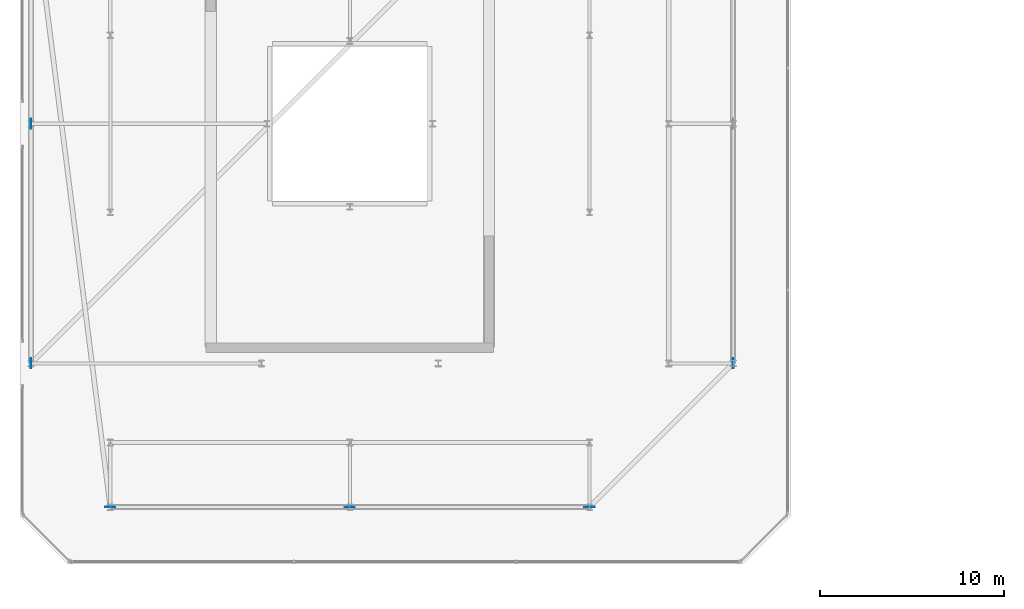
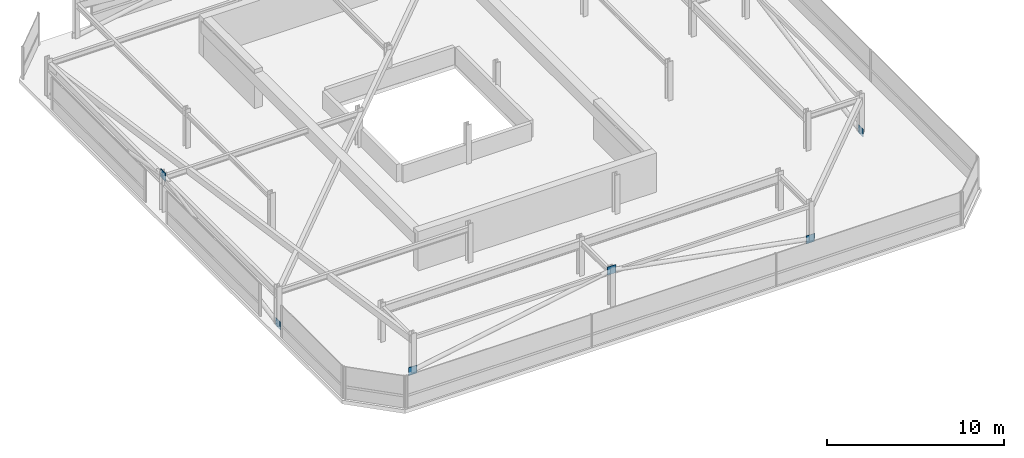
# One storey, part 38 of 42: 6 plates.
"""IFC4 building model written with IfcOpenShell, lengths in metres."""

from ifc_helpers import new_model, si_unit, direction, frame, origin, origin_2d, place, context, subcontext, project, spatial, rectangle, extrude, material, layer, layer_set, type_object, element, save


model = new_model("IFC4")

# Units and contexts
model_context = context("Model", 3, precision=1e-05, world=origin(), true_north=direction((0.0, 1.0)))
body_context = subcontext(model_context, "Body", "Model", "MODEL_VIEW")
ifc_project = project(units=[si_unit("LENGTHUNIT", "METRE"), si_unit("AREAUNIT", "SQUARE_METRE"), si_unit("VOLUMEUNIT", "CUBIC_METRE"), si_unit("PLANEANGLEUNIT", "RADIAN"), si_unit("MASSUNIT", "GRAM", prefix="KILO")], contexts=[model_context])

# Site, building, storey
site_placement = place(None, origin())
site = spatial("IfcSite", under=ifc_project, at=site_placement, CompositionType="ELEMENT")
building_placement = place(site_placement, origin())
building = spatial("IfcBuilding", under=site, at=building_placement, Name="Thornwick Lancets Civic Towers", CompositionType="ELEMENT")
storey_placement = place(building_placement, frame((0.0, 0.0, 286.800048828125)))
storey = spatial("IfcBuildingStorey", under=building, at=storey_placement, Name="C03", CompositionType="ELEMENT", Elevation=286.800048828125)

# Plates
ifc_material = material(Name="Steel S460M", Category="steel")
ifc_layer = layer(ifc_material, 0.0400390625, Name="Steel S460M")
ifc_layer_set = layer_set([ifc_layer], Name="Steel S460M")
plate_type = type_object("IfcPlateType", Name="PLT_GUSSET_40", PredefinedType="USERDEFINED", material=ifc_layer_set)
for number, where, z_axis, x_axis, name in (
    (1, (12.5, 6.199951171875, -0.22509765625), (0.0, 0.0, 1.0), (1.0, 0.0, 0.0), "C03 Brace Connection Gusset Plate 0485"),
    (2, (25.5, 6.199951171875, 2.1650390625), (0.0, 0.0, 1.0), (1.0, 0.0, 0.0), "C03 Brace Connection Gusset Plate 0486"),
    (3, (38.5, 6.199951171875, -0.22509765625), (0.0, 0.0, 1.0), (-1.0, 0.0, 0.0), "C03 Brace Connection Gusset Plate 0487"),
    (4, (46.300048828125, 14.0, -0.22509765625), (0.0, 0.0, 1.0), (0.0, 1.0, 0.0), "C03 Brace Connection Gusset Plate 0488"),
    (5, (8.199951171875, 14.0, -0.22509765625), (0.0, 0.0, 1.0), (0.0, 1.0, 0.0), "C03 Brace Connection Gusset Plate 0494"),
    (6, (8.199951171875, 27.0, 2.1650390625), (0.0, 0.0, 1.0), (0.0, 1.0, 0.0), "C03 Brace Connection Gusset Plate 0495"),
):
    element("IfcPlate", number, at=place(storey_placement, frame(where, z_axis=z_axis, x_axis=x_axis)), inside=storey, type_object=plate_type, Name=name, ObjectType="GUSSET_PLATE", PredefinedType="USERDEFINED", context=body_context, shape_type="SweptSolid", body=[
        extrude(rectangle(XDim=0.550048828125, YDim=0.0400390625, at=origin_2d()), origin(), (0.0, 0.0, 1.0), 0.550048828125),
    ])

save(model, "model.ifc")
